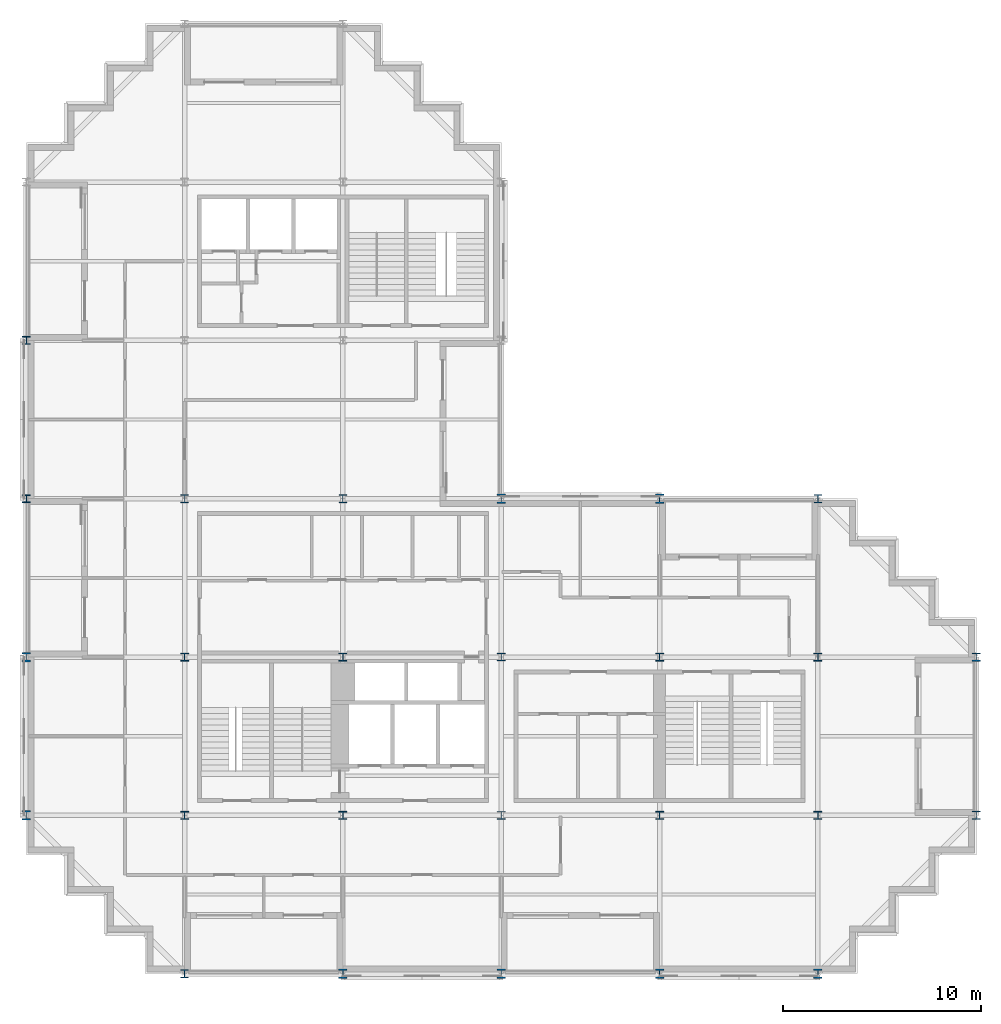
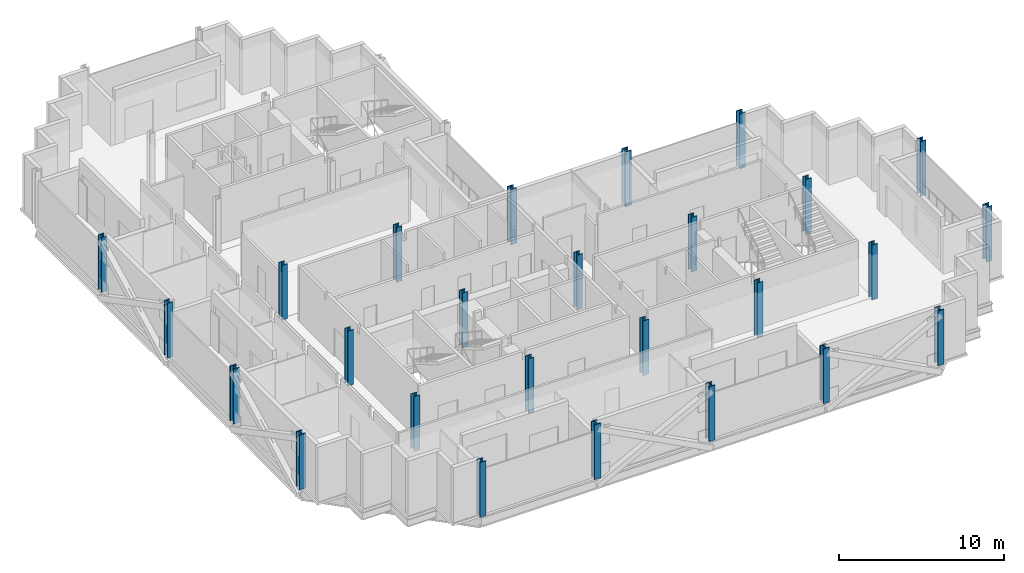
# One storey, part 1 of 11: 26 columns.
"""IFC4 building model written with IfcOpenShell, lengths in metres."""

from ifc_helpers import new_model, si_unit, direction, frame, origin, origin_2d, place, context, subcontext, project, spatial, i_section, extrude, material, material_profile, profile_set, type_object, element, save


model = new_model("IFC4")

# Units and contexts
model_context = context("Model", 3, precision=1e-05, world=origin(), true_north=direction((0.0, 1.0)))
body_context = subcontext(model_context, "Body", "Model", "MODEL_VIEW")
ifc_project = project(units=[si_unit("LENGTHUNIT", "METRE"), si_unit("AREAUNIT", "SQUARE_METRE"), si_unit("VOLUMEUNIT", "CUBIC_METRE"), si_unit("PLANEANGLEUNIT", "RADIAN"), si_unit("MASSUNIT", "GRAM", prefix="KILO")], contexts=[model_context])

# Site, building, storey
site_placement = place(None, origin())
site = spatial("IfcSite", under=ifc_project, at=site_placement, CompositionType="ELEMENT")
building_placement = place(site_placement, origin())
building = spatial("IfcBuilding", under=site, at=building_placement, Name="Immortelle Media Tower", CompositionType="ELEMENT")
storey_placement = place(building_placement, frame((0.0, 0.0, 141.0)))
storey = spatial("IfcBuildingStorey", under=building, at=storey_placement, Name="L28", CompositionType="ELEMENT", Elevation=141.0)

# Columns
ifc_material = material(Name="Steel ASTM A992 Gr 50", Category="steel")
ifc_material_profile_1 = material_profile(ifc_material, i_section(OverallWidth=0.40087890625, OverallDepth=0.39892578125, WebThickness=0.02490234375, FlangeThickness=0.0400390625, at=origin_2d()), Name="W14x211")
ifc_profile_set_1 = profile_set([ifc_material_profile_1], Name="Steel ASTM A992 Gr 50")
column_type_1 = type_object("IfcColumnType", Name="W14x211 column", PredefinedType="COLUMN", material=ifc_profile_set_1)
for number, where, z_axis, x_axis, name in (
    (1, (0.0, 24.0, 0.0), (0.0, 0.0, 1.0), (1.0, 0.0, 0.0), "Column 1/D"),
    (2, (0.0, 32.0, 0.0), (0.0, 0.0, 1.0), (1.0, 0.0, 0.0), "Column 1/E"),
    (3, (8.0, 8.0, 0.0), (0.0, 0.0, 1.0), (1.0, 0.0, 0.0), "Column 2/B"),
    (4, (8.0, 16.0, 0.0), (0.0, 0.0, 1.0), (1.0, 0.0, 0.0), "Column 2/C"),
    (5, (16.0, 8.0, 0.0), (0.0, 0.0, 1.0), (1.0, 0.0, 0.0), "Column 3/B"),
    (6, (16.0, 16.0, 0.0), (0.0, 0.0, 1.0), (1.0, 0.0, 0.0), "Column 3/C"),
    (7, (32.0, 8.0, 0.0), (0.0, 0.0, 1.0), (1.0, 0.0, 0.0), "Column 5/B"),
    (8, (32.0, 16.0, 0.0), (0.0, 0.0, 1.0), (1.0, 0.0, 0.0), "Column 5/C"),
    (9, (40.0, 8.0, 0.0), (0.0, 0.0, 1.0), (1.0, 0.0, 0.0), "Column 6/B"),
    (10, (40.0, 16.0, 0.0), (0.0, 0.0, 1.0), (1.0, 0.0, 0.0), "Column 6/C"),
):
    element("IfcColumn", number, at=place(storey_placement, frame(where, z_axis=z_axis, x_axis=x_axis)), inside=storey, type_object=column_type_1, Name=name, PredefinedType="COLUMN", context=body_context, shape_type="SweptSolid", body=[
        extrude(i_section(OverallWidth=0.40087890625, OverallDepth=0.39892578125, WebThickness=0.02490234375, FlangeThickness=0.0400390625, at=origin_2d()), origin(), (0.0, 0.0, 1.0), 4.050048828125),
    ])
ifc_material_profile_2 = material_profile(ifc_material, i_section(OverallWidth=0.406005859375, OverallDepth=0.4169921875, WebThickness=0.030029296875, FlangeThickness=0.048095703125, at=origin_2d()), Name="W14x257")
ifc_profile_set_2 = profile_set([ifc_material_profile_2], Name="Steel ASTM A992 Gr 50")
column_type_2 = type_object("IfcColumnType", Name="W14x257 column", PredefinedType="COLUMN", material=ifc_profile_set_2)
for number, where, z_axis, x_axis, name in (
    (11, (8.0, 24.0, 0.0), (0.0, 0.0, 1.0), (1.0, 0.0, 0.0), "Column 2/D"),
    (12, (16.0, 24.0, 0.0), (0.0, 0.0, 1.0), (1.0, 0.0, 0.0), "Column 3/D"),
    (13, (24.0, 8.0, 0.0), (0.0, 0.0, 1.0), (1.0, 0.0, 0.0), "Column 4/B"),
    (14, (24.0, 16.0, 0.0), (0.0, 0.0, 1.0), (1.0, 0.0, 0.0), "Column 4/C"),
):
    element("IfcColumn", number, at=place(storey_placement, frame(where, z_axis=z_axis, x_axis=x_axis)), inside=storey, type_object=column_type_2, Name=name, PredefinedType="COLUMN", context=body_context, shape_type="SweptSolid", body=[
        extrude(i_section(OverallWidth=0.406005859375, OverallDepth=0.4169921875, WebThickness=0.030029296875, FlangeThickness=0.048095703125, at=origin_2d()), origin(), (0.0, 0.0, 1.0), 4.050048828125),
    ])
ifc_material_profile_3 = material_profile(ifc_material, i_section(OverallWidth=0.410888671875, OverallDepth=0.43408203125, WebThickness=0.035888671875, FlangeThickness=0.056884765625, at=origin_2d()), Name="W14x311")
ifc_profile_set_3 = profile_set([ifc_material_profile_3], Name="Steel ASTM A992 Gr 50")
column_type_3 = type_object("IfcColumnType", Name="W14x311 column", PredefinedType="COLUMN", material=ifc_profile_set_3)
for number, where, z_axis, x_axis, name in (
    (15, (8.0, 0.0, 0.0), (0.0, 0.0, 1.0), (1.0, 0.0, 0.0), "Column 2/A"),
    (16, (40.0, 24.0, 0.0), (0.0, 0.0, 1.0), (1.0, 0.0, 0.0), "Column 6/D"),
    (17, (48.0, 8.0, 0.0), (0.0, 0.0, 1.0), (1.0, 0.0, 0.0), "Column 7/B"),
    (18, (48.0, 16.0, 0.0), (0.0, 0.0, 1.0), (1.0, 0.0, 0.0), "Column 7/C"),
):
    element("IfcColumn", number, at=place(storey_placement, frame(where, z_axis=z_axis, x_axis=x_axis)), inside=storey, type_object=column_type_3, Name=name, PredefinedType="COLUMN", context=body_context, shape_type="SweptSolid", body=[
        extrude(i_section(OverallWidth=0.410888671875, OverallDepth=0.43408203125, WebThickness=0.035888671875, FlangeThickness=0.056884765625, at=origin_2d()), origin(), (0.0, 0.0, 1.0), 4.050048828125),
    ])
ifc_material_profile_4 = material_profile(ifc_material, i_section(OverallWidth=0.424072265625, OverallDepth=0.47509765625, WebThickness=0.048095703125, FlangeThickness=0.076904296875, at=origin_2d()), Name="W14x426")
ifc_profile_set_4 = profile_set([ifc_material_profile_4], Name="Steel ASTM A992 Gr 50")
column_type_4 = type_object("IfcColumnType", Name="W14x426 column", PredefinedType="COLUMN", material=ifc_profile_set_4)
for number, where, z_axis, x_axis, name in (
    (19, (0.0, 8.0, 0.0), (0.0, 0.0, 1.0), (1.0, 0.0, 0.0), "Column 1/B"),
    (20, (0.0, 16.0, 0.0), (0.0, 0.0, 1.0), (1.0, 0.0, 0.0), "Column 1/C"),
    (21, (16.0, 0.0, 0.0), (0.0, 0.0, 1.0), (1.0, 0.0, 0.0), "Column 3/A"),
    (22, (24.0, 0.0, 0.0), (0.0, 0.0, 1.0), (1.0, 0.0, 0.0), "Column 4/A"),
    (23, (24.0, 24.0, 0.0), (0.0, 0.0, 1.0), (1.0, 0.0, 0.0), "Column 4/D"),
    (24, (32.0, 0.0, 0.0), (0.0, 0.0, 1.0), (1.0, 0.0, 0.0), "Column 5/A"),
    (25, (32.0, 24.0, 0.0), (0.0, 0.0, 1.0), (1.0, 0.0, 0.0), "Column 5/D"),
    (26, (40.0, 0.0, 0.0), (0.0, 0.0, 1.0), (1.0, 0.0, 0.0), "Column 6/A"),
):
    element("IfcColumn", number, at=place(storey_placement, frame(where, z_axis=z_axis, x_axis=x_axis)), inside=storey, type_object=column_type_4, Name=name, PredefinedType="COLUMN", context=body_context, shape_type="SweptSolid", body=[
        extrude(i_section(OverallWidth=0.424072265625, OverallDepth=0.47509765625, WebThickness=0.048095703125, FlangeThickness=0.076904296875, at=origin_2d()), origin(), (0.0, 0.0, 1.0), 4.050048828125),
    ])

save(model, "model.ifc")
